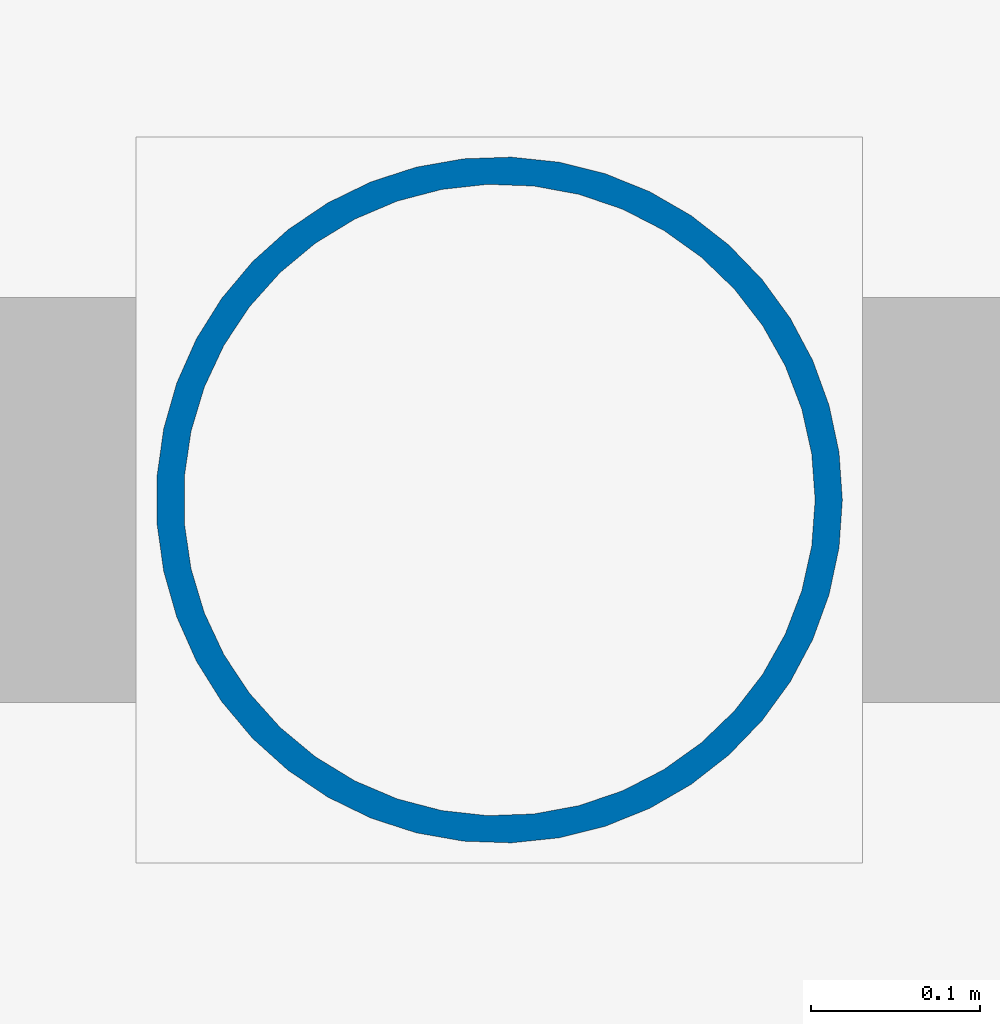
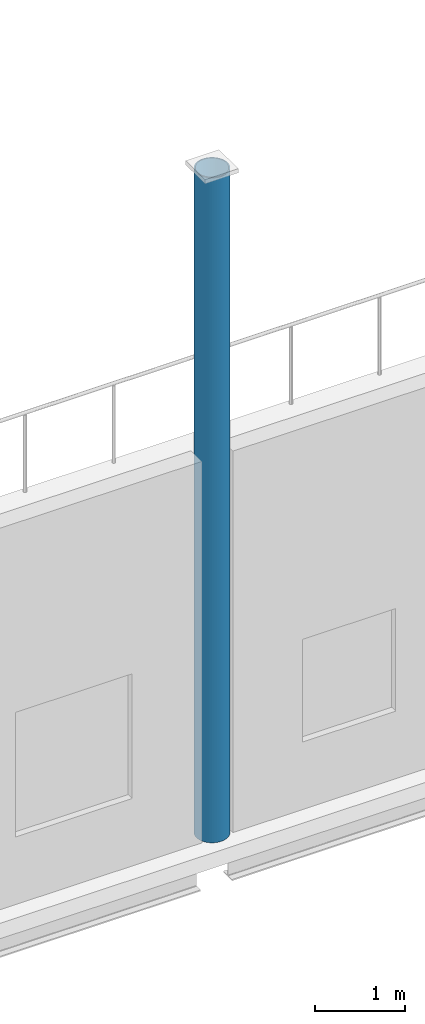
# One storey, part 4 of 77: 1 column.
"""IFC4 building model written with IfcOpenShell, lengths in metres."""

from ifc_helpers import new_model, si_unit, direction, frame, origin, origin_2d, place, context, subcontext, project, spatial, hollow_circle, extrude, material, material_profile, profile_set, type_object, element, save


model = new_model("IFC4")

# Units and contexts
model_context = context("Model", 3, precision=1e-05, world=origin(), true_north=direction((0.0, 1.0)))
body_context = subcontext(model_context, "Body", "Model", "MODEL_VIEW")
ifc_project = project(units=[si_unit("LENGTHUNIT", "METRE"), si_unit("AREAUNIT", "SQUARE_METRE"), si_unit("VOLUMEUNIT", "CUBIC_METRE"), si_unit("PLANEANGLEUNIT", "RADIAN"), si_unit("MASSUNIT", "GRAM", prefix="KILO")], contexts=[model_context])

# Site, building, storey
site_placement = place(None, origin())
site = spatial("IfcSite", under=ifc_project, at=site_placement, CompositionType="ELEMENT")
building_placement = place(site_placement, origin())
building = spatial("IfcBuilding", under=site, at=building_placement, Name="Quillay Park Conservatory", CompositionType="ELEMENT")
storey_placement = place(building_placement, frame((0.0, 0.0, 5.39990234375)))
storey = spatial("IfcBuildingStorey", under=building, at=storey_placement, Name="L01", CompositionType="ELEMENT", Elevation=5.39990234375)

# Column
ifc_material = material(Name="Steel S355J2H", Category="steel")
ifc_material_profile = material_profile(ifc_material, hollow_circle(Radius=0.203125, WallThickness=0.01611328125, at=origin_2d()), Name="CHS406.4x16")
ifc_profile_set = profile_set([ifc_material_profile], Name="Steel S355J2H")
column_type = type_object("IfcColumnType", Name="COMPOSITE STEEL COLUMN CHS406", PredefinedType="COLUMN", material=ifc_profile_set)
column_placement = place(storey_placement, frame((58.716796875, 85.550048828125, 0.0), z_axis=(0.0, 0.0, 1.0), x_axis=(1.0, 0.0, 0.0)))
element("IfcColumn", 1, at=column_placement, inside=storey, type_object=column_type, Name="L01 column COL-V1-L01-3-0", PredefinedType="COLUMN", context=body_context, shape_type="SweptSolid", body=[
    extrude(hollow_circle(Radius=0.203125, WallThickness=0.01611328125, at=origin_2d()), origin(), (0.0, 0.0, 1.0), 9.063720703125),
])

save(model, "model.ifc")
